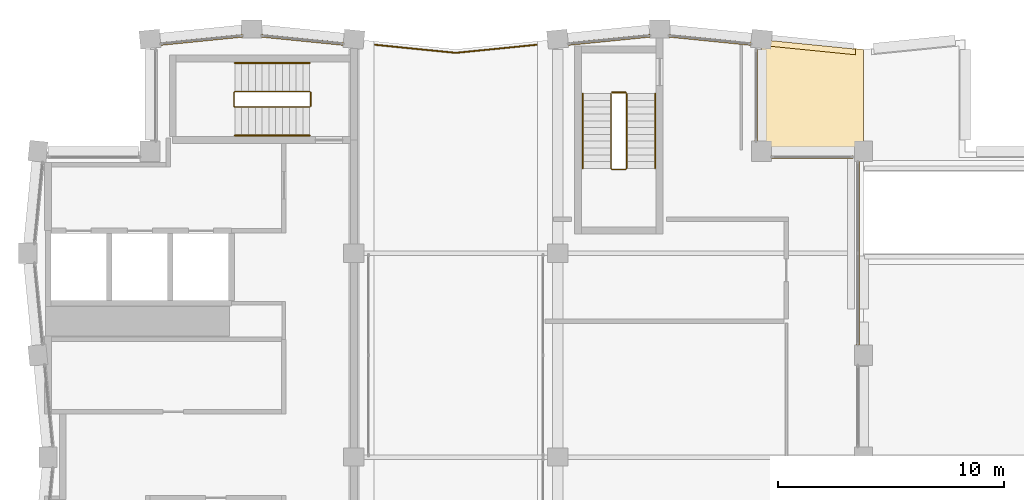
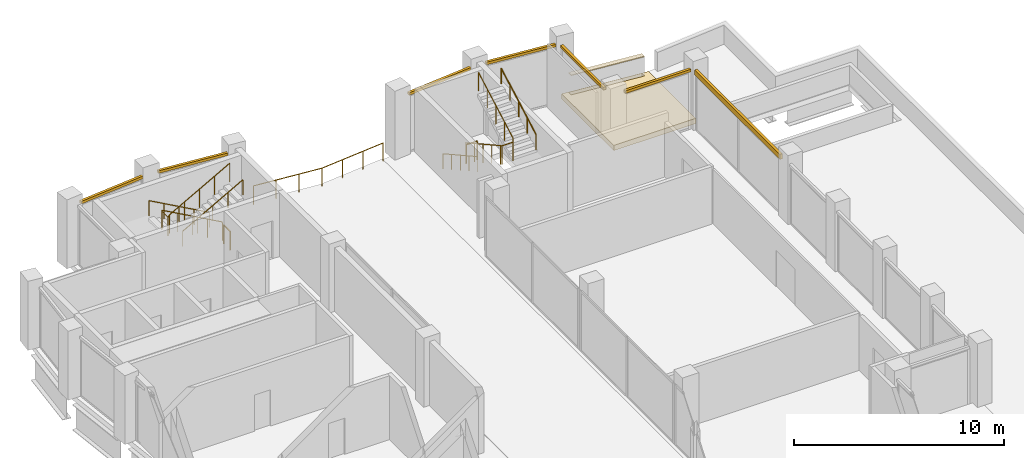
# One storey, part 14 of 14: 9 coverings, 9 railings.
"""IFC4 building model written with IfcOpenShell, lengths in metres."""

from ifc_helpers import new_model, si_unit, direction, frame, origin, origin_2d, place, context, subcontext, project, spatial, polyline, rectangle, circle, outline, extrude, material, layer, layer_set, type_object, element, save


model = new_model("IFC4")

# Units and contexts
model_context = context("Model", 3, precision=1e-05, world=origin(), true_north=direction((0.0, 1.0)))
body_context = subcontext(model_context, "Body", "Model", "MODEL_VIEW")
ifc_project = project(units=[si_unit("LENGTHUNIT", "METRE"), si_unit("AREAUNIT", "SQUARE_METRE"), si_unit("VOLUMEUNIT", "CUBIC_METRE"), si_unit("PLANEANGLEUNIT", "RADIAN"), si_unit("MASSUNIT", "GRAM", prefix="KILO")], contexts=[model_context])

# Site, building, storey
site_placement = place(None, origin())
site = spatial("IfcSite", under=ifc_project, at=site_placement, CompositionType="ELEMENT")
building_placement = place(site_placement, origin())
building = spatial("IfcBuilding", under=site, at=building_placement, Name="Brondeck Convention Tower", CompositionType="ELEMENT")
storey_placement = place(building_placement, frame((0.0, 0.0, 282.800048828125)))
storey = spatial("IfcBuildingStorey", under=building, at=storey_placement, Name="L70", CompositionType="ELEMENT", Elevation=282.800048828125)

# Coverings
ifc_material_1 = material(Name="Aluminium, bronze anodised", Category="aluminium")
ifc_layer_1 = layer(ifc_material_1, 0.10009765625)
ifc_layer_set_1 = layer_set([ifc_layer_1], Name="Curtain wall spandrel panel, bronze anodised aluminium")
covering_type_1 = type_object("IfcCoveringType", Name="Curtain wall spandrel panel, bronze anodised aluminium", PredefinedType="CLADDING", material=ifc_layer_set_1)
for number, where, z_axis, x_axis, name in (
    (1, (11.22509765625, 63.42626953125, 3.35009765625), (0.0, 0.0, 1.0), (0.995037178292, -0.0995038382, 0.0), "ENV-CW4-L70-K1-A-N-02-SP"),
    (2, (6.77490234375, 63.42626953125, 3.35009765625), (0.0, 0.0, 1.0), (0.995037178292, 0.0995038382, 0.0), "ENV-CW4-L70-K1-A-N-01-SP"),
):
    element("IfcCovering", number, at=place(storey_placement, frame(where, z_axis=z_axis, x_axis=x_axis)), inside=storey, type_object=covering_type_1, Name=name, PredefinedType="CLADDING", context=body_context, shape_type="SweptSolid", body=[
        extrude(rectangle(XDim=3.622314453125, YDim=0.139892578125, at=origin_2d()), origin(), (0.0, 0.0, 1.0), 0.14990234375),
    ])
covering_1_placement = place(storey_placement, frame((35.75, 54.0, 3.19970703125), z_axis=(0.0, 0.0, 1.0), x_axis=(0.0, -1.0, 0.0)))
element("IfcCovering", 3, at=covering_1_placement, inside=storey, type_object=covering_type_1, Name="ENV-CW4-L70-K2-K-E-06-SP", PredefinedType="CLADDING", context=body_context, shape_type="SweptSolid", body=[
    extrude(rectangle(XDim=8.10009765625, YDim=0.139892578125, at=origin_2d()), origin(), (0.0, 0.0, 1.0), 0.300048828125),
])
covering_2_placement = place(storey_placement, frame((33.75, 58.25, 3.35009765625), z_axis=(0.0, 0.0, 1.0), x_axis=(1.0, 0.0, 0.0)))
element("IfcCovering", 4, at=covering_2_placement, inside=storey, type_object=covering_type_1, Name="ENV-CW4-L70-K2-NC-KNE-01-SP", PredefinedType="CLADDING", context=body_context, shape_type="SweptSolid", body=[
    extrude(rectangle(XDim=3.60009765625, YDim=0.139892578125, at=origin_2d()), origin(), (0.0, 0.0, 1.0), 0.14990234375),
])
covering_3_placement = place(storey_placement, frame((31.25, 60.97509765625, 3.35009765625), z_axis=(0.0, 0.0, 1.0), x_axis=(0.0, -1.0, 0.0)))
element("IfcCovering", 5, at=covering_3_placement, inside=storey, type_object=covering_type_1, Name="ENV-CW4-L70-K2-NC-KNE-02-SP", PredefinedType="CLADDING", context=body_context, shape_type="SweptSolid", body=[
    extrude(rectangle(XDim=4.050048828125, YDim=0.139892578125, at=origin_2d()), origin(), (0.0, 0.0, 1.0), 0.14990234375),
])
for number, where, z_axis, x_axis, name in (
    (6, (29.22509765625, 63.42626953125, 3.35009765625), (0.0, 0.0, 1.0), (0.995037178292, -0.0995038382, 0.0), "ENV-CW4-L70-K2-A-N-06-SP"),
    (7, (24.77490234375, 63.42626953125, 3.35009765625), (0.0, 0.0, 1.0), (0.995037178292, 0.0995038382, 0.0), "ENV-CW4-L70-K2-A-N-05-SP"),
):
    element("IfcCovering", number, at=place(storey_placement, frame(where, z_axis=z_axis, x_axis=x_axis)), inside=storey, type_object=covering_type_1, Name=name, PredefinedType="CLADDING", context=body_context, shape_type="SweptSolid", body=[
        extrude(rectangle(XDim=3.622314453125, YDim=0.139892578125, at=origin_2d()), origin(), (0.0, 0.0, 1.0), 0.14990234375),
    ])

# Railing
ifc_material_2 = material(Name="Steel S355, bronze painted", Category="steel")
railing_type_1 = type_object("IfcRailingType", Name="Guard, bronze steel rail and posts", PredefinedType="GUARDRAIL", material=ifc_material_2)
railing_1_placement = place(storey_placement, frame((14.43505859375, 63.205810546875, 0.0)))
element("IfcRailing", 8, at=railing_1_placement, inside=storey, type_object=railing_type_1, Name="ENV-S4-SLOT-1-RL1", PredefinedType="GUARDRAIL", context=body_context, shape_type="SweptSolid", body=[
    extrude(circle(Radius=0.02490234375, at=origin_2d()), frame((0.0, 0.0, 1.0751953125), z_axis=(0.995038539504, -0.099490225152, 0.0), x_axis=(0.099490225152, 0.995038539504, 0.0)), (0.0, 0.0, 1.0), 3.582763671875),
    extrude(circle(Radius=0.02490234375, at=origin_2d()), frame((3.56494140625, -0.3564453125, 1.0751953125), z_axis=(0.995038539504, 0.099490225152, 0.0), x_axis=(-0.099490225152, 0.995038539504, 0.0)), (0.0, 0.0, 1.0), 3.582763671875),
    extrude(circle(Radius=0.02490234375, at=origin_2d()), origin(), (0.0, 0.0, 1.0), 1.050048828125),
    extrude(circle(Radius=0.02490234375, at=origin_2d()), frame((1.188232421875, -0.118896484375, 0.0)), (0.0, 0.0, 1.0), 1.050048828125),
    extrude(circle(Radius=0.02490234375, at=origin_2d()), frame((2.376708984375, -0.237548828125, 0.0)), (0.0, 0.0, 1.0), 1.050048828125),
    extrude(circle(Radius=0.02490234375, at=origin_2d()), frame((3.56494140625, -0.3564453125, 0.0)), (0.0, 0.0, 1.0), 1.050048828125),
    extrude(circle(Radius=0.02490234375, at=origin_2d()), frame((4.753173828125, -0.237548828125, 0.0)), (0.0, 0.0, 1.0), 1.050048828125),
    extrude(circle(Radius=0.02490234375, at=origin_2d()), frame((5.941650390625, -0.118896484375, 0.0)), (0.0, 0.0, 1.0), 1.050048828125),
    extrude(circle(Radius=0.02490234375, at=origin_2d()), frame((7.1298828125, 0.0, 0.0)), (0.0, 0.0, 1.0), 1.050048828125),
])

# Coverings
ifc_material_3 = material(Name="Precast concrete C50/60", Category="concrete")
ifc_layer_2 = layer(ifc_material_3, 0.050048828125)
ifc_layer_set_2 = layer_set([ifc_layer_2], Name="Parapet coping, precast")
covering_type_2 = type_object("IfcCoveringType", Name="Parapet coping, precast", PredefinedType="MOLDING", material=ifc_layer_set_2)
covering_4_placement = place(storey_placement, frame((0.0, 0.0, 1.39990234375)))
element("IfcCovering", 9, at=covering_4_placement, inside=storey, type_object=covering_type_2, Name="ENV-S4-C2-PA-01-CP", PredefinedType="MOLDING", context=body_context, shape_type="SweptSolid", body=[
    extrude(outline(polyline([(35.64990234375, 63.014892578125), (31.85009765625, 63.39501953125), (31.85009765625, 63.143798828125), (35.64990234375, 62.763671875), (35.64990234375, 63.014892578125)])), origin(), (0.0, 0.0, 1.0), 0.050048828125),
])
ifc_material_4 = material(Name="Bitumen membrane")
ifc_layer_3 = layer(ifc_material_4, 0.02001953125, Name="Waterproofing")
ifc_material_5 = material(Name="Mineral wool")
ifc_layer_4 = layer(ifc_material_5, 0.280029296875, Name="Insulation")
ifc_layer_set_3 = layer_set([ifc_layer_3, ifc_layer_4], Name="Roof membrane and insulation")
covering_type_3 = type_object("IfcCoveringType", Name="Roof membrane and insulation", PredefinedType="ROOFING", material=ifc_layer_set_3)
covering_5_placement = place(storey_placement, origin())
element("IfcCovering", 10, at=covering_5_placement, inside=storey, type_object=covering_type_3, Name="ENV-S4-C2-RF1", PredefinedType="ROOFING", context=body_context, shape_type="SweptSolid", body=[
    extrude(outline(polyline([(36.0, 58.5), (36.0, 63.0), (31.5, 63.449951171875), (31.5, 58.5), (36.0, 58.5)]), holes=[polyline([(31.85009765625, 63.39501953125), (35.64990234375, 63.014892578125), (35.64990234375, 62.763671875), (31.85009765625, 63.143798828125), (31.85009765625, 63.39501953125)])]), origin(), (0.0, 0.0, 1.0), 0.300048828125),
])

# Railings
ifc_material_6 = material(Name="Steel S355", Category="steel")
railing_type_2 = type_object("IfcRailingType", Name="Stair guard 1100", PredefinedType="GUARDRAIL", material=ifc_material_6)
railing_2_placement = place(storey_placement, frame((24.85009765625, 61.050048828125, 0.16650390625)))
element("IfcRailing", 11, at=railing_2_placement, inside=storey, type_object=railing_type_2, Name="L70 ST-2 stair guard 1", PredefinedType="GUARDRAIL", context=body_context, shape_type="SweptSolid", body=[
    extrude(circle(Radius=0.02392578125, at=origin_2d()), frame((0.0, 0.0, 1.076171875), z_axis=(0.0, -0.874142023373, 0.48567038511), x_axis=(1.0, 0.0, 0.0)), (0.0, 0.0, 1.0), 3.775146484375),
    extrude(circle(Radius=0.02392578125, at=origin_2d()), frame((0.0, -3.300048828125, 2.90966796875), z_axis=(0.705375805398, -0.708833529934, 0.0), x_axis=(0.708833529934, 0.705375805398, 0.0)), (0.0, 0.0, 1.0), 0.070556640625),
    extrude(circle(Radius=0.02392578125, at=origin_2d()), frame((0.0498046875, -3.35009765625, 2.90966796875), z_axis=(1.0, 0.0, 0.0), x_axis=(0.0, 1.0, 0.0)), (0.0, 0.0, 1.0), 0.60009765625),
    extrude(circle(Radius=0.02392578125, at=origin_2d()), frame((0.64990234375, -3.35009765625, 2.90966796875), z_axis=(0.27662974545, 0.27662974545, 0.920299933644), x_axis=(-0.707106781187, 0.707106781187, 0.0)), (0.0, 0.0, 1.0), 0.180908203125),
    extrude(circle(Radius=0.02392578125, at=origin_2d()), frame((0.699951171875, -3.300048828125, 3.076171875), z_axis=(0.0, 0.874142023373, 0.48567038511), x_axis=(-1.0, 0.0, 0.0)), (0.0, 0.0, 1.0), 3.775146484375),
    extrude(circle(Radius=0.02099609375, at=origin_2d()), origin(), (0.0, 0.0, 1.0), 1.052001953125),
    extrude(circle(Radius=0.02099609375, at=origin_2d()), frame((0.0, -0.824951171875, 0.45849609375)), (0.0, 0.0, 1.0), 1.052001953125),
    extrude(circle(Radius=0.02099609375, at=origin_2d()), frame((0.0, -1.64990234375, 0.916748046875)), (0.0, 0.0, 1.0), 1.052001953125),
    extrude(circle(Radius=0.02099609375, at=origin_2d()), frame((0.0, -2.47509765625, 1.375)), (0.0, 0.0, 1.0), 1.052001953125),
    extrude(circle(Radius=0.02099609375, at=origin_2d()), frame((0.0, -3.300048828125, 1.83349609375)), (0.0, 0.0, 1.0), 1.052001953125),
    extrude(circle(Radius=0.02099609375, at=origin_2d()), frame((0.0498046875, -3.35009765625, 1.83349609375)), (0.0, 0.0, 1.0), 1.052001953125),
    extrude(circle(Radius=0.02099609375, at=origin_2d()), frame((0.64990234375, -3.35009765625, 1.83349609375)), (0.0, 0.0, 1.0), 1.052001953125),
    extrude(circle(Radius=0.02099609375, at=origin_2d()), frame((0.699951171875, -3.300048828125, 2.0)), (0.0, 0.0, 1.0), 1.052001953125),
    extrude(circle(Radius=0.02099609375, at=origin_2d()), frame((0.699951171875, -2.47509765625, 2.45849609375)), (0.0, 0.0, 1.0), 1.052001953125),
    extrude(circle(Radius=0.02099609375, at=origin_2d()), frame((0.699951171875, -1.64990234375, 2.916748046875)), (0.0, 0.0, 1.0), 1.052001953125),
    extrude(circle(Radius=0.02099609375, at=origin_2d()), frame((0.699951171875, -0.824951171875, 3.375)), (0.0, 0.0, 1.0), 1.052001953125),
    extrude(circle(Radius=0.02099609375, at=origin_2d()), frame((0.699951171875, 0.0, 3.83349609375)), (0.0, 0.0, 1.0), 1.052001953125),
])
railing_3_placement = place(storey_placement, frame((24.89990234375, 61.10009765625, 0.0)))
element("IfcRailing", 12, at=railing_3_placement, inside=storey, type_object=railing_type_2, Name="L70 ST-2 stair guard 2", PredefinedType="GUARDRAIL", context=body_context, shape_type="SweptSolid", body=[
    extrude(circle(Radius=0.02392578125, at=origin_2d()), frame((0.0, 0.0, 1.076171875), z_axis=(1.0, 0.0, 0.0), x_axis=(0.0, 1.0, 0.0)), (0.0, 0.0, 1.0), 0.60009765625),
    extrude(circle(Radius=0.02099609375, at=origin_2d()), origin(), (0.0, 0.0, 1.0), 1.052001953125),
    extrude(circle(Radius=0.02099609375, at=origin_2d()), frame((0.60009765625, 0.0, 0.0)), (0.0, 0.0, 1.0), 1.052001953125),
])
railing_4_placement = place(storey_placement, frame((11.550048828125, 61.14990234375, 0.16650390625)))
element("IfcRailing", 13, at=railing_4_placement, inside=storey, type_object=railing_type_2, Name="L70 ST-3 stair guard 1", PredefinedType="GUARDRAIL", context=body_context, shape_type="SweptSolid", body=[
    extrude(circle(Radius=0.02392578125, at=origin_2d()), frame((0.0, 0.0, 1.076171875), z_axis=(-0.874142023373, 0.0, 0.48567038511), x_axis=(0.0, -1.0, 0.0)), (0.0, 0.0, 1.0), 3.775146484375),
    extrude(circle(Radius=0.02392578125, at=origin_2d()), frame((-3.300048828125, 0.0, 2.90966796875), z_axis=(-0.708833529934, -0.705375805398, 0.0), x_axis=(0.705375805398, -0.708833529934, 0.0)), (0.0, 0.0, 1.0), 0.070556640625),
    extrude(circle(Radius=0.02392578125, at=origin_2d()), frame((-3.35009765625, -0.0498046875, 2.90966796875), z_axis=(0.0, -1.0, 0.0), x_axis=(1.0, 0.0, 0.0)), (0.0, 0.0, 1.0), 0.60009765625),
    extrude(circle(Radius=0.02392578125, at=origin_2d()), frame((-3.35009765625, -0.64990234375, 2.90966796875), z_axis=(0.27662974545, -0.27662974545, 0.920299933644), x_axis=(0.707106781187, 0.707106781187, 0.0)), (0.0, 0.0, 1.0), 0.180908203125),
    extrude(circle(Radius=0.02392578125, at=origin_2d()), frame((-3.300048828125, -0.699951171875, 3.076171875), z_axis=(0.874142023373, 0.0, 0.48567038511), x_axis=(0.0, 1.0, 0.0)), (0.0, 0.0, 1.0), 3.775146484375),
    extrude(circle(Radius=0.02099609375, at=origin_2d()), origin(), (0.0, 0.0, 1.0), 1.052001953125),
    extrude(circle(Radius=0.02099609375, at=origin_2d()), frame((-0.824951171875, 0.0, 0.45849609375)), (0.0, 0.0, 1.0), 1.052001953125),
    extrude(circle(Radius=0.02099609375, at=origin_2d()), frame((-1.64990234375, 0.0, 0.916748046875)), (0.0, 0.0, 1.0), 1.052001953125),
    extrude(circle(Radius=0.02099609375, at=origin_2d()), frame((-2.47509765625, 0.0, 1.375)), (0.0, 0.0, 1.0), 1.052001953125),
    extrude(circle(Radius=0.02099609375, at=origin_2d()), frame((-3.300048828125, 0.0, 1.83349609375)), (0.0, 0.0, 1.0), 1.052001953125),
    extrude(circle(Radius=0.02099609375, at=origin_2d()), frame((-3.35009765625, -0.0498046875, 1.83349609375)), (0.0, 0.0, 1.0), 1.052001953125),
    extrude(circle(Radius=0.02099609375, at=origin_2d()), frame((-3.35009765625, -0.64990234375, 1.83349609375)), (0.0, 0.0, 1.0), 1.052001953125),
    extrude(circle(Radius=0.02099609375, at=origin_2d()), frame((-3.300048828125, -0.699951171875, 2.0)), (0.0, 0.0, 1.0), 1.052001953125),
    extrude(circle(Radius=0.02099609375, at=origin_2d()), frame((-2.47509765625, -0.699951171875, 2.45849609375)), (0.0, 0.0, 1.0), 1.052001953125),
    extrude(circle(Radius=0.02099609375, at=origin_2d()), frame((-1.64990234375, -0.699951171875, 2.916748046875)), (0.0, 0.0, 1.0), 1.052001953125),
    extrude(circle(Radius=0.02099609375, at=origin_2d()), frame((-0.824951171875, -0.699951171875, 3.375)), (0.0, 0.0, 1.0), 1.052001953125),
    extrude(circle(Radius=0.02099609375, at=origin_2d()), frame((0.0, -0.699951171875, 3.83349609375)), (0.0, 0.0, 1.0), 1.052001953125),
])
railing_5_placement = place(storey_placement, frame((11.60009765625, 61.10009765625, 0.0)))
element("IfcRailing", 14, at=railing_5_placement, inside=storey, type_object=railing_type_2, Name="L70 ST-3 stair guard 2", PredefinedType="GUARDRAIL", context=body_context, shape_type="SweptSolid", body=[
    extrude(circle(Radius=0.02392578125, at=origin_2d()), frame((0.0, 0.0, 1.076171875), z_axis=(0.0, -1.0, 0.0), x_axis=(1.0, 0.0, 0.0)), (0.0, 0.0, 1.0), 0.60009765625),
    extrude(circle(Radius=0.02099609375, at=origin_2d()), origin(), (0.0, 0.0, 1.0), 1.052001953125),
    extrude(circle(Radius=0.02099609375, at=origin_2d()), frame((0.0, -0.60009765625, 0.0)), (0.0, 0.0, 1.0), 1.052001953125),
])
railing_type_3 = type_object("IfcRailingType", Name="Stair handrail", PredefinedType="HANDRAIL", material=ifc_material_6)
railing_6_placement = place(storey_placement, frame((23.60009765625, 61.050048828125, 0.16650390625)))
element("IfcRailing", 15, at=railing_6_placement, inside=storey, type_object=railing_type_3, Name="L70 ST-2 stair handrail 1", PredefinedType="HANDRAIL", context=body_context, shape_type="SweptSolid", body=[
    extrude(circle(Radius=0.02392578125, at=origin_2d()), frame((0.0, 0.0, 0.8759765625), z_axis=(0.0, -0.874142023373, 0.48567038511), x_axis=(1.0, 0.0, 0.0)), (0.0, 0.0, 1.0), 3.775146484375),
    extrude(circle(Radius=0.02099609375, at=origin_2d()), origin(), (0.0, 0.0, 1.0), 0.851806640625),
    extrude(circle(Radius=0.02099609375, at=origin_2d()), frame((0.0, -0.824951171875, 0.45849609375)), (0.0, 0.0, 1.0), 0.851806640625),
    extrude(circle(Radius=0.02099609375, at=origin_2d()), frame((0.0, -1.64990234375, 0.916748046875)), (0.0, 0.0, 1.0), 0.851806640625),
    extrude(circle(Radius=0.02099609375, at=origin_2d()), frame((0.0, -2.47509765625, 1.375)), (0.0, 0.0, 1.0), 0.851806640625),
    extrude(circle(Radius=0.02099609375, at=origin_2d()), frame((0.0, -3.300048828125, 1.83349609375)), (0.0, 0.0, 1.0), 0.851806640625),
])
railing_7_placement = place(storey_placement, frame((26.800048828125, 57.75, 2.16650390625)))
element("IfcRailing", 16, at=railing_7_placement, inside=storey, type_object=railing_type_3, Name="L70 ST-2 stair handrail 2", PredefinedType="HANDRAIL", context=body_context, shape_type="SweptSolid", body=[
    extrude(circle(Radius=0.02392578125, at=origin_2d()), frame((0.0, 0.0, 0.8759765625), z_axis=(0.0, 0.874142023373, 0.48567038511), x_axis=(-1.0, 0.0, 0.0)), (0.0, 0.0, 1.0), 3.775146484375),
    extrude(circle(Radius=0.02099609375, at=origin_2d()), origin(), (0.0, 0.0, 1.0), 0.851806640625),
    extrude(circle(Radius=0.02099609375, at=origin_2d()), frame((0.0, 0.824951171875, 0.45849609375)), (0.0, 0.0, 1.0), 0.851806640625),
    extrude(circle(Radius=0.02099609375, at=origin_2d()), frame((0.0, 1.64990234375, 0.916748046875)), (0.0, 0.0, 1.0), 0.851806640625),
    extrude(circle(Radius=0.02099609375, at=origin_2d()), frame((0.0, 2.47509765625, 1.375)), (0.0, 0.0, 1.0), 0.851806640625),
    extrude(circle(Radius=0.02099609375, at=origin_2d()), frame((0.0, 3.300048828125, 1.83349609375)), (0.0, 0.0, 1.0), 0.851806640625),
])
railing_8_placement = place(storey_placement, frame((11.550048828125, 62.39990234375, 0.16650390625)))
element("IfcRailing", 17, at=railing_8_placement, inside=storey, type_object=railing_type_3, Name="L70 ST-3 stair handrail 1", PredefinedType="HANDRAIL", context=body_context, shape_type="SweptSolid", body=[
    extrude(circle(Radius=0.02392578125, at=origin_2d()), frame((0.0, 0.0, 0.8759765625), z_axis=(-0.874142023373, 0.0, 0.48567038511), x_axis=(0.0, -1.0, 0.0)), (0.0, 0.0, 1.0), 3.775146484375),
    extrude(circle(Radius=0.02099609375, at=origin_2d()), origin(), (0.0, 0.0, 1.0), 0.851806640625),
    extrude(circle(Radius=0.02099609375, at=origin_2d()), frame((-0.824951171875, 0.0, 0.45849609375)), (0.0, 0.0, 1.0), 0.851806640625),
    extrude(circle(Radius=0.02099609375, at=origin_2d()), frame((-1.64990234375, 0.0, 0.916748046875)), (0.0, 0.0, 1.0), 0.851806640625),
    extrude(circle(Radius=0.02099609375, at=origin_2d()), frame((-2.47509765625, 0.0, 1.375)), (0.0, 0.0, 1.0), 0.851806640625),
    extrude(circle(Radius=0.02099609375, at=origin_2d()), frame((-3.300048828125, 0.0, 1.83349609375)), (0.0, 0.0, 1.0), 0.851806640625),
])
railing_9_placement = place(storey_placement, frame((8.25, 59.199951171875, 2.16650390625)))
element("IfcRailing", 18, at=railing_9_placement, inside=storey, type_object=railing_type_3, Name="L70 ST-3 stair handrail 2", PredefinedType="HANDRAIL", context=body_context, shape_type="SweptSolid", body=[
    extrude(circle(Radius=0.02392578125, at=origin_2d()), frame((0.0, 0.0, 0.8759765625), z_axis=(0.874142023373, 0.0, 0.48567038511), x_axis=(0.0, 1.0, 0.0)), (0.0, 0.0, 1.0), 3.775146484375),
    extrude(circle(Radius=0.02099609375, at=origin_2d()), origin(), (0.0, 0.0, 1.0), 0.851806640625),
    extrude(circle(Radius=0.02099609375, at=origin_2d()), frame((0.824951171875, 0.0, 0.45849609375)), (0.0, 0.0, 1.0), 0.851806640625),
    extrude(circle(Radius=0.02099609375, at=origin_2d()), frame((1.64990234375, 0.0, 0.916748046875)), (0.0, 0.0, 1.0), 0.851806640625),
    extrude(circle(Radius=0.02099609375, at=origin_2d()), frame((2.47509765625, 0.0, 1.375)), (0.0, 0.0, 1.0), 0.851806640625),
    extrude(circle(Radius=0.02099609375, at=origin_2d()), frame((3.300048828125, 0.0, 1.83349609375)), (0.0, 0.0, 1.0), 0.851806640625),
])

save(model, "model.ifc")
